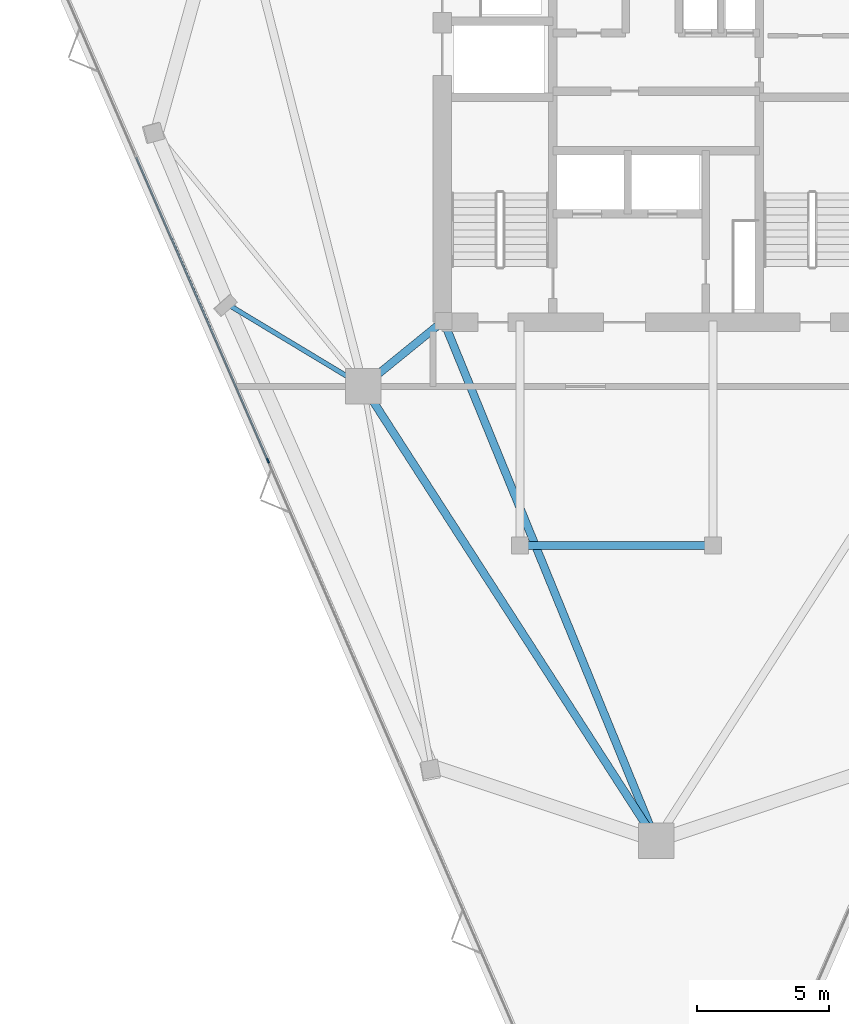
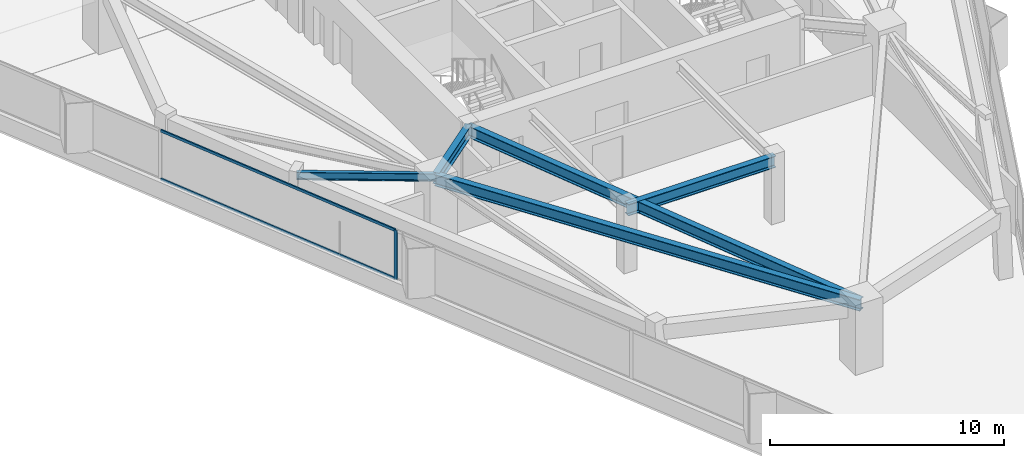
# One storey, part 3 of 13: 5 beams, 3 members, 1 element without a shape of its own.
"""IFC4 building model written with IfcOpenShell, lengths in metres."""

from ifc_helpers import new_model, si_unit, direction, frame, origin, origin_2d, place, context, subcontext, project, spatial, rectangle, i_section, extrude, material, layer, layer_set, material_profile, profile_set, type_object, element, aggregate, save


model = new_model("IFC4")

# Units and contexts
model_context = context("Model", 3, precision=1e-05, world=origin(), true_north=direction((0.0, 1.0)))
body_context = subcontext(model_context, "Body", "Model", "MODEL_VIEW")
ifc_project = project(units=[si_unit("LENGTHUNIT", "METRE"), si_unit("AREAUNIT", "SQUARE_METRE"), si_unit("VOLUMEUNIT", "CUBIC_METRE"), si_unit("PLANEANGLEUNIT", "RADIAN"), si_unit("MASSUNIT", "GRAM", prefix="KILO")], contexts=[model_context])

# Site, building, storey
site_placement = place(None, origin())
site = spatial("IfcSite", under=ifc_project, at=site_placement, CompositionType="ELEMENT")
building_placement = place(site_placement, origin())
building = spatial("IfcBuilding", under=site, at=building_placement, Name="Talyreon Biosciences Tower", CompositionType="ELEMENT")
storey_placement = place(building_placement, frame((0.0, 0.0, 212.25)))
storey = spatial("IfcBuildingStorey", under=building, at=storey_placement, Name="L56", CompositionType="ELEMENT", Elevation=212.25)

# Curtain wall, members
ifc_material_1 = material(Name="Thermally broken aluminium and low-E glazing", Category="aluminium")
ifc_layer = layer(ifc_material_1, 0.179931640625)
ifc_layer_set = layer_set([ifc_layer], Name="Thermally broken aluminium and low-E glazing")
curtain_wall_type = type_object("IfcCurtainWallType", Name="CurtainWall_Zone4Optical", PredefinedType="NOTDEFINED", material=ifc_layer_set)
curtain_wall_placement = place(storey_placement, origin())
curtain_wall = element("IfcCurtainWall", 1, at=curtain_wall_placement, inside=storey, type_object=curtain_wall_type, Name="L56 Unitised Curtain Wall FCW-L56-00", PredefinedType="NOTDEFINED")
ifc_material_2 = material(Name="Anodised thermally broken aluminium", Category="aluminium")
ifc_material_profile_1 = material_profile(ifc_material_2, rectangle(XDim=0.06494140625, YDim=0.179931640625, at=origin_2d()), Name="ALUM MULLION 65x180")
ifc_profile_set_1 = profile_set([ifc_material_profile_1], Name="Anodised thermally broken aluminium")
member_type_1 = type_object("IfcMemberType", Name="CWMullion_65x180", PredefinedType="MULLION", material=ifc_profile_set_1)
member_1_placement = place(storey_placement, frame((51.3037109375, 56.0546875, 0.81005859375), z_axis=(0.0, 0.0, 1.0), x_axis=(-0.917221993355, -0.398376473835, 0.0)))
member_1 = element("IfcMember", 2, at=member_1_placement, type_object=member_type_1, Name="CW5 mullion 3", PredefinedType="MULLION", context=body_context, shape_type="SweptSolid", body=[
    extrude(rectangle(XDim=0.06494140625, YDim=0.179931640625, at=origin_2d()), origin(), (0.0, 0.0, 1.0), 2.58984375),
])
ifc_material_profile_2 = material_profile(ifc_material_2, rectangle(XDim=0.06494140625, YDim=0.139892578125, at=origin_2d()), Name="ALUM TRANSOM 65x140")
ifc_profile_set_2 = profile_set([ifc_material_profile_2], Name="Anodised thermally broken aluminium")
member_type_2 = type_object("IfcMemberType", Name="CWTransom_65x140", PredefinedType="USERDEFINED", material=ifc_profile_set_2)
member_2_placement = place(storey_placement, frame((51.290771484375, 56.08447265625, 0.842529296875), z_axis=(-0.39837717116, 0.917221690486, 0.0), x_axis=(-0.917221690486, -0.39837717116, 0.0)))
member_2 = element("IfcMember", 3, at=member_2_placement, type_object=member_type_2, Name="CW5 transom 3.1", ObjectType="TRANSOM", PredefinedType="USERDEFINED", context=body_context, shape_type="SweptSolid", body=[
    extrude(rectangle(XDim=0.06494140625, YDim=0.139892578125, at=origin_2d()), origin(), (0.0, 0.0, 1.0), 12.48583984375),
])
member_3_placement = place(storey_placement, frame((51.290771484375, 56.08447265625, 3.367431640625), z_axis=(-0.39837717116, 0.917221690486, 0.0), x_axis=(-0.917221690486, -0.39837717116, 0.0)))
member_3 = element("IfcMember", 4, at=member_3_placement, type_object=member_type_2, Name="CW5 transom 3.2", ObjectType="TRANSOM", PredefinedType="USERDEFINED", context=body_context, shape_type="SweptSolid", body=[
    extrude(rectangle(XDim=0.06494140625, YDim=0.139892578125, at=origin_2d()), origin(), (0.0, 0.0, 1.0), 12.48583984375),
])
aggregate(curtain_wall, [member_1, member_2, member_3])

# Beams
ifc_material_3 = material(Name="Steel SM355", Category="steel")
ifc_material_profile_3 = material_profile(ifc_material_3, i_section(OverallWidth=0.300048828125, OverallDepth=0.60009765625, WebThickness=0.015380859375, FlangeThickness=0.030029296875, FilletRadius=0.027099609375, at=origin_2d()), Name="HE600B")
ifc_profile_set_3 = profile_set([ifc_material_profile_3], Name="Steel SM355")
beam_type_1 = type_object("IfcBeamType", Name="SteelBeam_HE600B", PredefinedType="BEAM", material=ifc_profile_set_3)
beam_1_placement = place(storey_placement, frame((54.913818359375, 58.88037109375, 3.10009765625), z_axis=(0.541463723609, -0.840724114092, 0.0), x_axis=(0.840724114092, 0.541463723609, 0.0)))
element("IfcBeam", 5, at=beam_1_placement, inside=storey, type_object=beam_type_1, Name="L56 Mega-Ring Girder 6", PredefinedType="BEAM", context=body_context, shape_type="SweptSolid", body=[
    extrude(i_section(OverallWidth=0.300048828125, OverallDepth=0.60009765625, WebThickness=0.015380859375, FlangeThickness=0.030029296875, FilletRadius=0.027099609375, at=origin_2d()), origin(), (0.0, 0.0, 1.0), 20.474365234375),
])
beam_2_placement = place(storey_placement, frame((57.949951171875, 61.35009765625, 3.10009765625), z_axis=(0.378547014545, -0.925582064314, 0.0), x_axis=(0.925582064314, 0.378547014545, 0.0)))
element("IfcBeam", 6, at=beam_2_placement, inside=storey, type_object=beam_type_1, Name="L56 Radial Primary Girder 1", PredefinedType="BEAM", context=body_context, shape_type="SweptSolid", body=[
    extrude(i_section(OverallWidth=0.300048828125, OverallDepth=0.60009765625, WebThickness=0.015380859375, FlangeThickness=0.030029296875, FilletRadius=0.027099609375, at=origin_2d()), origin(), (0.0, 0.0, 1.0), 21.265625),
])
beam_3_placement = place(storey_placement, frame((57.949951171875, 61.35009765625, 3.10009765625), z_axis=(-0.775755154013, -0.631034025249, 0.0), x_axis=(0.631034025249, -0.775755154013, 0.0)))
element("IfcBeam", 7, at=beam_3_placement, inside=storey, type_object=beam_type_1, Name="L56 Radial Primary Girder 6", PredefinedType="BEAM", context=body_context, shape_type="SweptSolid", body=[
    extrude(i_section(OverallWidth=0.300048828125, OverallDepth=0.60009765625, WebThickness=0.015380859375, FlangeThickness=0.030029296875, FilletRadius=0.027099609375, at=origin_2d()), origin(), (0.0, 0.0, 1.0), 3.913818359375),
])
beam_4_placement = place(storey_placement, frame((60.85009765625, 52.840087890625, 3.10009765625), z_axis=(1.0, 0.0, 0.0), x_axis=(0.0, 1.0, 0.0)))
element("IfcBeam", 8, at=beam_4_placement, inside=storey, type_object=beam_type_1, Name="L56 Crown Shaft Spine Girder S", PredefinedType="BEAM", context=body_context, shape_type="SweptSolid", body=[
    extrude(i_section(OverallWidth=0.300048828125, OverallDepth=0.60009765625, WebThickness=0.015380859375, FlangeThickness=0.030029296875, FilletRadius=0.027099609375, at=origin_2d()), origin(), (0.0, 0.0, 1.0), 7.2998046875),
])
ifc_material_profile_4 = material_profile(ifc_material_3, i_section(OverallWidth=0.179931640625, OverallDepth=0.39990234375, WebThickness=0.008544921875, FlangeThickness=0.013427734375, FilletRadius=0.02099609375, at=origin_2d()), Name="IPE400")
ifc_profile_set_4 = profile_set([ifc_material_profile_4], Name="Steel SM355")
beam_type_2 = type_object("IfcBeamType", Name="SteelJoist_IPE400", PredefinedType="JOIST", material=ifc_profile_set_4)
beam_5_placement = place(storey_placement, frame((54.913818359375, 58.88037109375, 3.199951171875), z_axis=(-0.856442633904, 0.516242205589, 0.0), x_axis=(-0.516242205589, -0.856442633904, 0.0)))
element("IfcBeam", 9, at=beam_5_placement, inside=storey, type_object=beam_type_2, Name="L56 Radial Composite Floor Joist PL-SW", PredefinedType="JOIST", context=body_context, shape_type="SweptSolid", body=[
    extrude(i_section(OverallWidth=0.179931640625, OverallDepth=0.39990234375, WebThickness=0.008544921875, FlangeThickness=0.013427734375, FilletRadius=0.02099609375, at=origin_2d()), origin(), (0.0, 0.0, 1.0), 5.978759765625),
])

save(model, "model.ifc")
